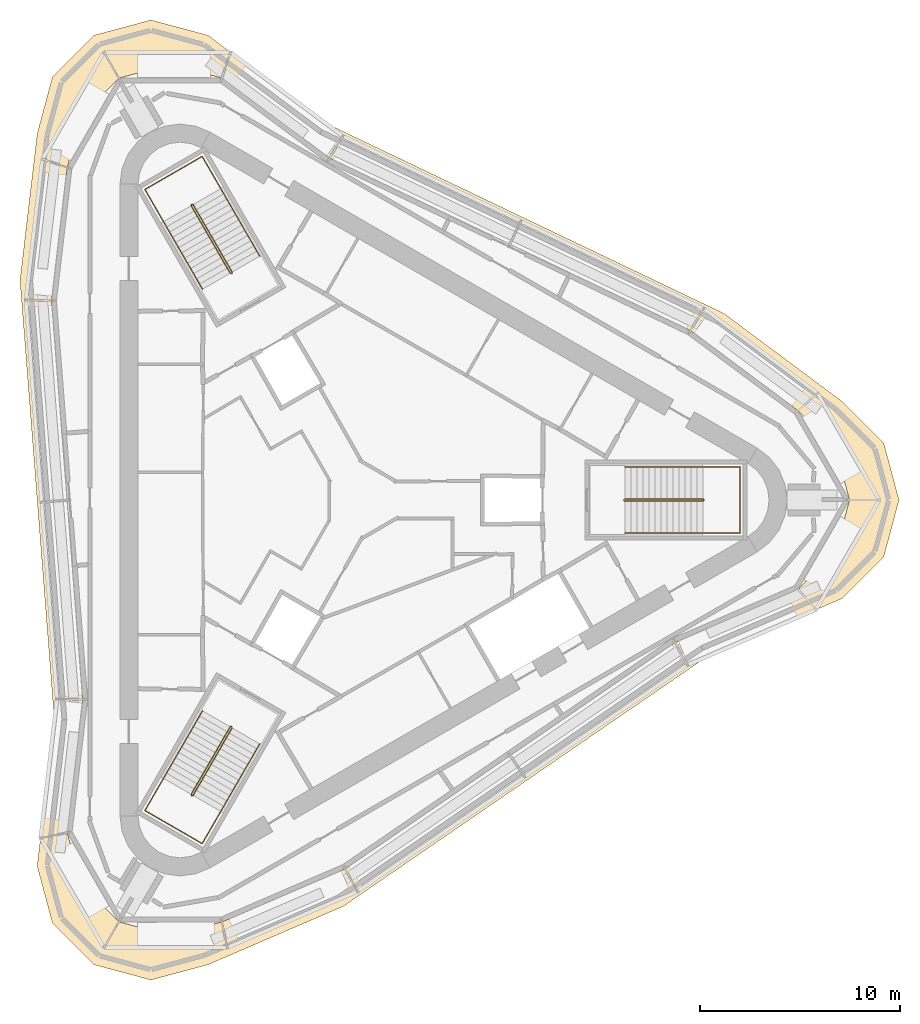
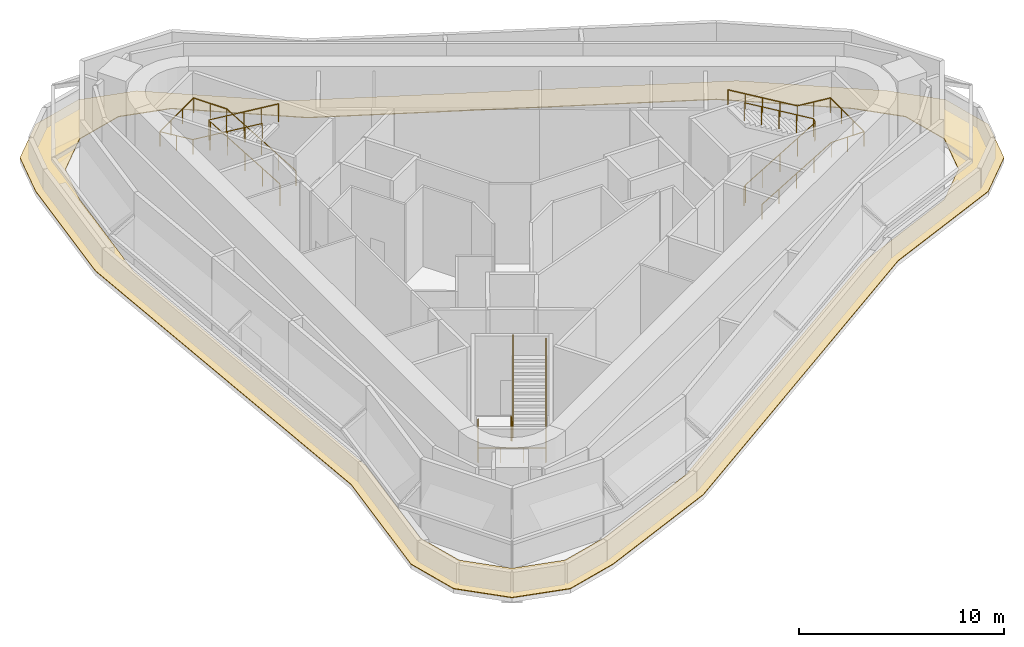
# One storey, part 7 of 7: 6 railings, 1 covering.
"""IFC4 building model written with IfcOpenShell, lengths in metres."""

from ifc_helpers import new_model, si_unit, direction, frame, origin, origin_2d, place, context, subcontext, project, spatial, polyline, circle, outline, extrude, material, layer, layer_set, type_object, element, save


model = new_model("IFC4")

# Units and contexts
model_context = context("Model", 3, precision=1e-05, world=origin(), true_north=direction((0.0, 1.0)))
body_context = subcontext(model_context, "Body", "Model", "MODEL_VIEW")
ifc_project = project(units=[si_unit("LENGTHUNIT", "METRE"), si_unit("AREAUNIT", "SQUARE_METRE"), si_unit("VOLUMEUNIT", "CUBIC_METRE"), si_unit("PLANEANGLEUNIT", "RADIAN"), si_unit("MASSUNIT", "GRAM", prefix="KILO")], contexts=[model_context])

# Site, building, storey
site_placement = place(None, origin())
site = spatial("IfcSite", under=ifc_project, at=site_placement, CompositionType="ELEMENT")
building_placement = place(site_placement, origin())
building = spatial("IfcBuilding", under=site, at=building_placement, Name="Tanit Gate Tower", CompositionType="ELEMENT")
storey_placement = place(building_placement, frame((0.0, 0.0, 425.300048828125)))
storey = spatial("IfcBuildingStorey", under=building, at=storey_placement, Name="L96", CompositionType="ELEMENT", Elevation=425.300048828125)

# Railings
ifc_material_1 = material(Name="Stainless steel balustrade", Category="steel")
railing_type_1 = type_object("IfcRailingType", Name="INT-STAIR-GUARD", PredefinedType="GUARDRAIL", material=ifc_material_1)
railing_1_placement = place(storey_placement, frame((13.044921875, 0.0048828125, 0.0)))
element("IfcRailing", 1, at=railing_1_placement, inside=storey, type_object=railing_type_1, Name="L96 S1 stair guard 1", PredefinedType="GUARDRAIL", context=body_context, shape_type="SweptSolid", body=[
    extrude(circle(Radius=0.02392578125, at=origin_2d()), frame((0.0, 0.0, 1.076171875), z_axis=(0.0, -1.0, 0.0), x_axis=(1.0, 0.0, 0.0)), (0.0, 0.0, 1.0), 0.009765625),
    extrude(circle(Radius=0.02392578125, at=origin_2d()), frame((0.0, -0.009765625, 1.076171875), z_axis=(0.260684529273, -0.260684529273, 0.929562882432), x_axis=(0.707106781187, 0.707106781187, 0.0)), (0.0, 0.0, 1.0), 0.19189453125),
    extrude(circle(Radius=0.02392578125, at=origin_2d()), frame((0.050048828125, -0.059814453125, 1.25439453125), z_axis=(0.859291195736, 0.0, 0.511486696729), x_axis=(0.0, 1.0, 0.0)), (0.0, 0.0, 1.0), 4.538818359375),
    extrude(circle(Radius=0.02392578125, at=origin_2d()), frame((3.9501953125, -0.059814453125, 3.576171875), z_axis=(0.705375805398, 0.708833529934, 0.0), x_axis=(-0.708833529934, 0.705375805398, 0.0)), (0.0, 0.0, 1.0), 0.070556640625),
    extrude(circle(Radius=0.02392578125, at=origin_2d()), frame((4.0, -0.009765625, 3.576171875), z_axis=(0.0, 1.0, 0.0), x_axis=(-1.0, 0.0, 0.0)), (0.0, 0.0, 1.0), 0.009765625),
    extrude(circle(Radius=0.02392578125, at=origin_2d()), frame((4.0, 0.0, 3.576171875), z_axis=(-0.25949872427, 0.26077077684, 0.929870428634), x_axis=(-0.708833529934, -0.705375805398, 0.0)), (0.0, 0.0, 1.0), 0.19189453125),
    extrude(circle(Radius=0.02392578125, at=origin_2d()), frame((3.9501953125, 0.050048828125, 3.75439453125), z_axis=(-0.859291195736, 0.0, 0.511486696729), x_axis=(0.0, -1.0, 0.0)), (0.0, 0.0, 1.0), 4.538818359375),
    extrude(circle(Radius=0.02099609375, at=origin_2d()), origin(), (0.0, 0.0, 1.0), 1.052001953125),
    extrude(circle(Radius=0.02099609375, at=origin_2d()), frame((0.0, -0.009765625, 0.0)), (0.0, 0.0, 1.0), 1.052001953125),
    extrude(circle(Radius=0.02099609375, at=origin_2d()), frame((0.050048828125, -0.059814453125, 0.178466796875)), (0.0, 0.0, 1.0), 1.052001953125),
    extrude(circle(Radius=0.02099609375, at=origin_2d()), frame((1.025146484375, -0.059814453125, 0.7587890625)), (0.0, 0.0, 1.0), 1.052001953125),
    extrude(circle(Radius=0.02099609375, at=origin_2d()), frame((2.0, -0.059814453125, 1.33935546875)), (0.0, 0.0, 1.0), 1.052001953125),
    extrude(circle(Radius=0.02099609375, at=origin_2d()), frame((2.97509765625, -0.059814453125, 1.919677734375)), (0.0, 0.0, 1.0), 1.052001953125),
    extrude(circle(Radius=0.02099609375, at=origin_2d()), frame((3.9501953125, -0.059814453125, 2.5)), (0.0, 0.0, 1.0), 1.052001953125),
    extrude(circle(Radius=0.02099609375, at=origin_2d()), frame((4.0, -0.009765625, 2.5)), (0.0, 0.0, 1.0), 1.052001953125),
    extrude(circle(Radius=0.02099609375, at=origin_2d()), frame((4.0, 0.0, 2.5)), (0.0, 0.0, 1.0), 1.052001953125),
    extrude(circle(Radius=0.02099609375, at=origin_2d()), frame((3.9501953125, 0.050048828125, 2.678466796875)), (0.0, 0.0, 1.0), 1.052001953125),
    extrude(circle(Radius=0.02099609375, at=origin_2d()), frame((2.97509765625, 0.050048828125, 3.2587890625)), (0.0, 0.0, 1.0), 1.052001953125),
    extrude(circle(Radius=0.02099609375, at=origin_2d()), frame((2.0, 0.050048828125, 3.83935546875)), (0.0, 0.0, 1.0), 1.052001953125),
    extrude(circle(Radius=0.02099609375, at=origin_2d()), frame((1.025146484375, 0.050048828125, 4.419677734375)), (0.0, 0.0, 1.0), 1.052001953125),
    extrude(circle(Radius=0.02099609375, at=origin_2d()), frame((0.050048828125, 0.050048828125, 5.0)), (0.0, 0.0, 1.0), 1.052001953125),
])
railing_2_placement = place(storey_placement, frame((-6.527099609375, 11.29345703125, 0.0)))
element("IfcRailing", 2, at=railing_2_placement, inside=storey, type_object=railing_type_1, Name="L96 S2 stair guard 1", PredefinedType="GUARDRAIL", context=body_context, shape_type="SweptSolid", body=[
    extrude(circle(Radius=0.02392578125, at=origin_2d()), frame((0.0, 0.0, 1.076171875), z_axis=(0.868243142124, 0.496138938357, 0.0), x_axis=(-0.496138938357, 0.868243142124, 0.0)), (0.0, 0.0, 1.0), 0.01171875),
    extrude(circle(Radius=0.02392578125, at=origin_2d()), frame((0.01025390625, 0.005859375, 1.076171875), z_axis=(0.095374316588, 0.356064115262, 0.929581672344), x_axis=(-0.965948051503, 0.258736085224, 0.0)), (0.0, 0.0, 1.0), 0.19189453125),
    extrude(circle(Radius=0.02392578125, at=origin_2d()), frame((0.028564453125, 0.07421875, 1.25439453125), z_axis=(-0.429636665928, 0.744158462057, 0.511508082673), x_axis=(-0.866027128446, -0.499997012787, 0.0)), (0.0, 0.0, 1.0), 4.53857421875),
    extrude(circle(Radius=0.02392578125, at=origin_2d()), frame((-1.92138671875, 3.45166015625, 3.576171875), z_axis=(-0.965948051503, 0.258736085224, 0.0), x_axis=(-0.258736085224, -0.965948051503, 0.0)), (0.0, 0.0, 1.0), 0.07080078125),
    extrude(circle(Radius=0.02392578125, at=origin_2d()), frame((-1.98974609375, 3.469970703125, 3.576171875), z_axis=(-0.868243142124, -0.496138938357, 0.0), x_axis=(0.496138938357, -0.868243142124, 0.0)), (0.0, 0.0, 1.0), 0.01171875),
    extrude(circle(Radius=0.02392578125, at=origin_2d()), frame((-2.0, 3.464111328125, 3.576171875), z_axis=(-0.095374316588, -0.356064115262, 0.929581672344), x_axis=(0.965948051503, -0.258736085224, 0.0)), (0.0, 0.0, 1.0), 0.19189453125),
    extrude(circle(Radius=0.02392578125, at=origin_2d()), frame((-2.018310546875, 3.395751953125, 3.75439453125), z_axis=(0.429636665928, -0.744158462057, 0.511508082673), x_axis=(0.866027128446, 0.499997012787, 0.0)), (0.0, 0.0, 1.0), 4.53857421875),
    extrude(circle(Radius=0.02099609375, at=origin_2d()), origin(), (0.0, 0.0, 1.0), 1.052001953125),
    extrude(circle(Radius=0.02099609375, at=origin_2d()), frame((0.01025390625, 0.005859375, 0.0)), (0.0, 0.0, 1.0), 1.052001953125),
    extrude(circle(Radius=0.02099609375, at=origin_2d()), frame((0.028564453125, 0.07421875, 0.178466796875)), (0.0, 0.0, 1.0), 1.052001953125),
    extrude(circle(Radius=0.02099609375, at=origin_2d()), frame((-0.458984375, 0.91845703125, 0.7587890625)), (0.0, 0.0, 1.0), 1.052001953125),
    extrude(circle(Radius=0.02099609375, at=origin_2d()), frame((-0.9462890625, 1.762939453125, 1.33935546875)), (0.0, 0.0, 1.0), 1.052001953125),
    extrude(circle(Radius=0.02099609375, at=origin_2d()), frame((-1.433837890625, 2.607421875, 1.919677734375)), (0.0, 0.0, 1.0), 1.052001953125),
    extrude(circle(Radius=0.02099609375, at=origin_2d()), frame((-1.92138671875, 3.45166015625, 2.5)), (0.0, 0.0, 1.0), 1.052001953125),
    extrude(circle(Radius=0.02099609375, at=origin_2d()), frame((-1.98974609375, 3.469970703125, 2.5)), (0.0, 0.0, 1.0), 1.052001953125),
    extrude(circle(Radius=0.02099609375, at=origin_2d()), frame((-2.0, 3.464111328125, 2.5)), (0.0, 0.0, 1.0), 1.052001953125),
    extrude(circle(Radius=0.02099609375, at=origin_2d()), frame((-2.018310546875, 3.395751953125, 2.678466796875)), (0.0, 0.0, 1.0), 1.052001953125),
    extrude(circle(Radius=0.02099609375, at=origin_2d()), frame((-1.53076171875, 2.55126953125, 3.2587890625)), (0.0, 0.0, 1.0), 1.052001953125),
    extrude(circle(Radius=0.02099609375, at=origin_2d()), frame((-1.04345703125, 1.70703125, 3.83935546875)), (0.0, 0.0, 1.0), 1.052001953125),
    extrude(circle(Radius=0.02099609375, at=origin_2d()), frame((-0.555908203125, 0.86279296875, 4.419677734375)), (0.0, 0.0, 1.0), 1.052001953125),
    extrude(circle(Radius=0.02099609375, at=origin_2d()), frame((-0.068359375, 0.018310546875, 5.0)), (0.0, 0.0, 1.0), 1.052001953125),
])
railing_3_placement = place(storey_placement, frame((-6.51806640625, -11.2998046875, 0.0)))
element("IfcRailing", 3, at=railing_3_placement, inside=storey, type_object=railing_type_1, Name="L96 S3 stair guard 1", PredefinedType="GUARDRAIL", context=body_context, shape_type="SweptSolid", body=[
    extrude(circle(Radius=0.02392578125, at=origin_2d()), frame((0.0, 0.0, 1.076171875), z_axis=(-0.874157276122, 0.485642931179, 0.0), x_axis=(-0.485642931179, -0.874157276122, 0.0)), (0.0, 0.0, 1.0), 0.010009765625),
    extrude(circle(Radius=0.02392578125, at=origin_2d()), frame((-0.0087890625, 0.0048828125, 1.076171875), z_axis=(-0.356107019809, -0.094113998092, 0.929693683858), x_axis=(0.255512919477, -0.966805641264, 0.0)), (0.0, 0.0, 1.0), 0.19189453125),
    extrude(circle(Radius=0.02392578125, at=origin_2d()), frame((-0.0771484375, -0.01318359375, 1.25439453125), z_axis=(-0.429619468083, -0.74418246412, 0.511487607612), x_axis=(0.866042777325, -0.499969906938, 0.0)), (0.0, 0.0, 1.0), 4.538818359375),
    extrude(circle(Radius=0.02392578125, at=origin_2d()), frame((-2.027099609375, -3.390869140625, 3.576171875), z_axis=(0.259601060869, -0.965715946433, 0.0), x_axis=(0.965715946433, 0.259601060869, 0.0)), (0.0, 0.0, 1.0), 0.070556640625),
    extrude(circle(Radius=0.02392578125, at=origin_2d()), frame((-2.0087890625, -3.458984375, 3.576171875), z_axis=(0.863778900898, -0.503871025524, 0.0), x_axis=(0.503871025524, 0.863778900898, 0.0)), (0.0, 0.0, 1.0), 0.01025390625),
    extrude(circle(Radius=0.02392578125, at=origin_2d()), frame((-2.0, -3.464111328125, 3.576171875), z_axis=(0.354952926692, 0.095417453412, 0.930002112587), x_axis=(-0.259601060869, 0.965715946433, 0.0)), (0.0, 0.0, 1.0), 0.19189453125),
    extrude(circle(Radius=0.02392578125, at=origin_2d()), frame((-1.931884765625, -3.44580078125, 3.75439453125), z_axis=(0.429680527064, 0.74414126332, 0.511496260873), x_axis=(-0.866000020948, 0.500043961785, 0.0)), (0.0, 0.0, 1.0), 4.538818359375),
    extrude(circle(Radius=0.02099609375, at=origin_2d()), origin(), (0.0, 0.0, 1.0), 1.052001953125),
    extrude(circle(Radius=0.02099609375, at=origin_2d()), frame((-0.0087890625, 0.0048828125, 0.0)), (0.0, 0.0, 1.0), 1.052001953125),
    extrude(circle(Radius=0.02099609375, at=origin_2d()), frame((-0.0771484375, -0.01318359375, 0.178466796875)), (0.0, 0.0, 1.0), 1.052001953125),
    extrude(circle(Radius=0.02099609375, at=origin_2d()), frame((-0.564697265625, -0.857666015625, 0.7587890625)), (0.0, 0.0, 1.0), 1.052001953125),
    extrude(circle(Radius=0.02099609375, at=origin_2d()), frame((-1.05224609375, -1.7021484375, 1.33935546875)), (0.0, 0.0, 1.0), 1.052001953125),
    extrude(circle(Radius=0.02099609375, at=origin_2d()), frame((-1.53955078125, -2.54638671875, 1.919677734375)), (0.0, 0.0, 1.0), 1.052001953125),
    extrude(circle(Radius=0.02099609375, at=origin_2d()), frame((-2.027099609375, -3.390869140625, 2.5)), (0.0, 0.0, 1.0), 1.052001953125),
    extrude(circle(Radius=0.02099609375, at=origin_2d()), frame((-2.0087890625, -3.458984375, 2.5)), (0.0, 0.0, 1.0), 1.052001953125),
    extrude(circle(Radius=0.02099609375, at=origin_2d()), frame((-2.0, -3.464111328125, 2.5)), (0.0, 0.0, 1.0), 1.052001953125),
    extrude(circle(Radius=0.02099609375, at=origin_2d()), frame((-1.931884765625, -3.44580078125, 2.678466796875)), (0.0, 0.0, 1.0), 1.052001953125),
    extrude(circle(Radius=0.02099609375, at=origin_2d()), frame((-1.4443359375, -2.6015625, 3.2587890625)), (0.0, 0.0, 1.0), 1.052001953125),
    extrude(circle(Radius=0.02099609375, at=origin_2d()), frame((-0.956787109375, -1.757080078125, 3.83935546875)), (0.0, 0.0, 1.0), 1.052001953125),
    extrude(circle(Radius=0.02099609375, at=origin_2d()), frame((-0.46923828125, -0.91259765625, 4.419677734375)), (0.0, 0.0, 1.0), 1.052001953125),
    extrude(circle(Radius=0.02099609375, at=origin_2d()), frame((0.018310546875, -0.068359375, 5.0)), (0.0, 0.0, 1.0), 1.052001953125),
])
ifc_material_2 = material(Name="Stainless steel handrail", Category="steel")
railing_type_2 = type_object("IfcRailingType", Name="INT-STAIR-HANDRAIL", PredefinedType="HANDRAIL", material=ifc_material_2)
railing_4_placement = place(storey_placement, frame((13.094970703125, -1.64990234375, 0.178466796875)))
element("IfcRailing", 4, at=railing_4_placement, inside=storey, type_object=railing_type_2, Name="L96 S1 stair handrail 1", PredefinedType="HANDRAIL", context=body_context, shape_type="SweptSolid", body=[
    extrude(circle(Radius=0.02392578125, at=origin_2d()), frame((0.0, 0.0, 0.8759765625), z_axis=(0.859291195736, 0.0, 0.511486696729), x_axis=(0.0, 1.0, 0.0)), (0.0, 0.0, 1.0), 4.538818359375),
    extrude(circle(Radius=0.02392578125, at=origin_2d()), frame((3.900146484375, 0.0, 3.197265625), z_axis=(1.0, 0.0, 0.0), x_axis=(0.0, 1.0, 0.0)), (0.0, 0.0, 1.0), 1.85498046875),
    extrude(circle(Radius=0.02392578125, at=origin_2d()), frame((5.755126953125, 0.0, 3.197265625), z_axis=(0.0, 1.0, 0.0), x_axis=(-1.0, 0.0, 0.0)), (0.0, 0.0, 1.0), 3.2998046875),
    extrude(circle(Radius=0.02392578125, at=origin_2d()), frame((5.755126953125, 3.2998046875, 3.197265625), z_axis=(-0.995403746914, 0.0, 0.09576732548), x_axis=(0.0, -1.0, 0.0)), (0.0, 0.0, 1.0), 1.863525390625),
    extrude(circle(Radius=0.02392578125, at=origin_2d()), frame((3.900146484375, 3.2998046875, 3.3759765625), z_axis=(-0.859291195736, 0.0, 0.511486696729), x_axis=(0.0, -1.0, 0.0)), (0.0, 0.0, 1.0), 4.538818359375),
    extrude(circle(Radius=0.02099609375, at=origin_2d()), origin(), (0.0, 0.0, 1.0), 0.851806640625),
    extrude(circle(Radius=0.02099609375, at=origin_2d()), frame((0.97509765625, 0.0, 0.580322265625)), (0.0, 0.0, 1.0), 0.851806640625),
    extrude(circle(Radius=0.02099609375, at=origin_2d()), frame((1.9501953125, 0.0, 1.16064453125)), (0.0, 0.0, 1.0), 0.851806640625),
    extrude(circle(Radius=0.02099609375, at=origin_2d()), frame((2.925048828125, 0.0, 1.7412109375)), (0.0, 0.0, 1.0), 0.851806640625),
    extrude(circle(Radius=0.02099609375, at=origin_2d()), frame((3.900146484375, 0.0, 2.321533203125)), (0.0, 0.0, 1.0), 0.851806640625),
    extrude(circle(Radius=0.02099609375, at=origin_2d()), frame((4.82763671875, 0.0, 2.321533203125)), (0.0, 0.0, 1.0), 0.851806640625),
    extrude(circle(Radius=0.02099609375, at=origin_2d()), frame((5.755126953125, 0.0, 2.321533203125)), (0.0, 0.0, 1.0), 0.851806640625),
    extrude(circle(Radius=0.02099609375, at=origin_2d()), frame((5.755126953125, 1.099853515625, 2.321533203125)), (0.0, 0.0, 1.0), 0.851806640625),
    extrude(circle(Radius=0.02099609375, at=origin_2d()), frame((5.755126953125, 2.199951171875, 2.321533203125)), (0.0, 0.0, 1.0), 0.851806640625),
    extrude(circle(Radius=0.02099609375, at=origin_2d()), frame((5.755126953125, 3.2998046875, 2.321533203125)), (0.0, 0.0, 1.0), 0.851806640625),
    extrude(circle(Radius=0.02099609375, at=origin_2d()), frame((4.82763671875, 3.2998046875, 2.41064453125)), (0.0, 0.0, 1.0), 0.851806640625),
    extrude(circle(Radius=0.02099609375, at=origin_2d()), frame((3.900146484375, 3.2998046875, 2.5)), (0.0, 0.0, 1.0), 0.851806640625),
    extrude(circle(Radius=0.02099609375, at=origin_2d()), frame((2.925048828125, 3.2998046875, 3.080322265625)), (0.0, 0.0, 1.0), 0.851806640625),
    extrude(circle(Radius=0.02099609375, at=origin_2d()), frame((1.9501953125, 3.2998046875, 3.66064453125)), (0.0, 0.0, 1.0), 0.851806640625),
    extrude(circle(Radius=0.02099609375, at=origin_2d()), frame((0.97509765625, 3.2998046875, 4.2412109375)), (0.0, 0.0, 1.0), 0.851806640625),
    extrude(circle(Radius=0.02099609375, at=origin_2d()), frame((0.0, 3.2998046875, 4.821533203125)), (0.0, 0.0, 1.0), 0.851806640625),
])
railing_5_placement = place(storey_placement, frame((-5.1181640625, 12.164794921875, 0.178466796875)))
element("IfcRailing", 5, at=railing_5_placement, inside=storey, type_object=railing_type_2, Name="L96 S2 stair handrail 1", PredefinedType="HANDRAIL", context=body_context, shape_type="SweptSolid", body=[
    extrude(circle(Radius=0.02392578125, at=origin_2d()), frame((0.0, 0.0, 0.8759765625), z_axis=(-0.429636665928, 0.744158462057, 0.511508082673), x_axis=(-0.866027128446, -0.499997012787, 0.0)), (0.0, 0.0, 1.0), 4.53857421875),
    extrude(circle(Radius=0.02392578125, at=origin_2d()), frame((-1.949951171875, 3.37744140625, 3.197265625), z_axis=(-0.499972951856, 0.866041019474, 0.0), x_axis=(-0.866041019474, -0.499972951856, 0.0)), (0.0, 0.0, 1.0), 1.85595703125),
    extrude(circle(Radius=0.02392578125, at=origin_2d()), frame((-2.8779296875, 4.98486328125, 3.197265625), z_axis=(-0.866008176907, -0.50002983664, 0.0), x_axis=(0.50002983664, -0.866008176907, 0.0)), (0.0, 0.0, 1.0), 3.300048828125),
    extrude(circle(Radius=0.02392578125, at=origin_2d()), frame((-5.73583984375, 3.334716796875, 3.197265625), z_axis=(0.497733776972, -0.862031426942, 0.095723070499), x_axis=(0.866008133109, 0.500029912494, 0.0)), (0.0, 0.0, 1.0), 1.864501953125),
    extrude(circle(Radius=0.02392578125, at=origin_2d()), frame((-4.807861328125, 1.7275390625, 3.3759765625), z_axis=(0.429663328258, -0.744165266205, 0.511475787231), x_axis=(0.866015672276, 0.500016855088, 0.0)), (0.0, 0.0, 1.0), 4.538818359375),
    extrude(circle(Radius=0.02099609375, at=origin_2d()), origin(), (0.0, 0.0, 1.0), 0.851806640625),
    extrude(circle(Radius=0.02099609375, at=origin_2d()), frame((-0.487548828125, 0.84423828125, 0.580322265625)), (0.0, 0.0, 1.0), 0.851806640625),
    extrude(circle(Radius=0.02099609375, at=origin_2d()), frame((-0.97509765625, 1.688720703125, 1.16064453125)), (0.0, 0.0, 1.0), 0.851806640625),
    extrude(circle(Radius=0.02099609375, at=origin_2d()), frame((-1.46240234375, 2.533203125, 1.7412109375)), (0.0, 0.0, 1.0), 0.851806640625),
    extrude(circle(Radius=0.02099609375, at=origin_2d()), frame((-1.949951171875, 3.37744140625, 2.321533203125)), (0.0, 0.0, 1.0), 0.851806640625),
    extrude(circle(Radius=0.02099609375, at=origin_2d()), frame((-2.4140625, 4.18115234375, 2.321533203125)), (0.0, 0.0, 1.0), 0.851806640625),
    extrude(circle(Radius=0.02099609375, at=origin_2d()), frame((-2.8779296875, 4.98486328125, 2.321533203125)), (0.0, 0.0, 1.0), 0.851806640625),
    extrude(circle(Radius=0.02099609375, at=origin_2d()), frame((-3.83056640625, 4.434814453125, 2.321533203125)), (0.0, 0.0, 1.0), 0.851806640625),
    extrude(circle(Radius=0.02099609375, at=origin_2d()), frame((-4.783203125, 3.884765625, 2.321533203125)), (0.0, 0.0, 1.0), 0.851806640625),
    extrude(circle(Radius=0.02099609375, at=origin_2d()), frame((-5.73583984375, 3.334716796875, 2.321533203125)), (0.0, 0.0, 1.0), 0.851806640625),
    extrude(circle(Radius=0.02099609375, at=origin_2d()), frame((-5.27197265625, 2.53125, 2.41064453125)), (0.0, 0.0, 1.0), 0.851806640625),
    extrude(circle(Radius=0.02099609375, at=origin_2d()), frame((-4.807861328125, 1.7275390625, 2.5)), (0.0, 0.0, 1.0), 0.851806640625),
    extrude(circle(Radius=0.02099609375, at=origin_2d()), frame((-4.3203125, 0.883056640625, 3.080322265625)), (0.0, 0.0, 1.0), 0.851806640625),
    extrude(circle(Radius=0.02099609375, at=origin_2d()), frame((-3.832763671875, 0.03857421875, 3.66064453125)), (0.0, 0.0, 1.0), 0.851806640625),
    extrude(circle(Radius=0.02099609375, at=origin_2d()), frame((-3.34521484375, -0.8056640625, 4.2412109375)), (0.0, 0.0, 1.0), 0.851806640625),
    extrude(circle(Radius=0.02099609375, at=origin_2d()), frame((-2.857666015625, -1.650146484375, 4.821533203125)), (0.0, 0.0, 1.0), 0.851806640625),
])
railing_6_placement = place(storey_placement, frame((-7.9765625, -10.515625, 0.178466796875)))
element("IfcRailing", 6, at=railing_6_placement, inside=storey, type_object=railing_type_2, Name="L96 S3 stair handrail 1", PredefinedType="HANDRAIL", context=body_context, shape_type="SweptSolid", body=[
    extrude(circle(Radius=0.02392578125, at=origin_2d()), frame((0.0, 0.0, 0.8759765625), z_axis=(-0.429636665928, -0.744158462057, 0.511508082673), x_axis=(0.866027128446, -0.499997012787, 0.0)), (0.0, 0.0, 1.0), 4.53857421875),
    extrude(circle(Radius=0.02392578125, at=origin_2d()), frame((-1.949951171875, -3.37744140625, 3.197265625), z_axis=(-0.500003477455, -0.866023396066, 0.0), x_axis=(0.866023396066, -0.500003477455, 0.0)), (0.0, 0.0, 1.0), 1.85498046875),
    extrude(circle(Radius=0.02392578125, at=origin_2d()), frame((-2.87744140625, -4.98388671875, 3.197265625), z_axis=(0.866008176907, -0.50002983664, 0.0), x_axis=(0.50002983664, 0.866008176907, 0.0)), (0.0, 0.0, 1.0), 3.300048828125),
    extrude(circle(Radius=0.02392578125, at=origin_2d()), frame((-0.01953125, -6.634033203125, 3.197265625), z_axis=(0.497705303182, 0.862042878372, 0.095767985424), x_axis=(-0.866023396066, 0.500003477455, 0.0)), (0.0, 0.0, 1.0), 1.863525390625),
    extrude(circle(Radius=0.02392578125, at=origin_2d()), frame((0.907958984375, -5.027587890625, 3.3759765625), z_axis=(0.429619468083, 0.74418246412, 0.511487607612), x_axis=(-0.866042777325, 0.499969906938, 0.0)), (0.0, 0.0, 1.0), 4.538818359375),
    extrude(circle(Radius=0.02099609375, at=origin_2d()), origin(), (0.0, 0.0, 1.0), 0.851806640625),
    extrude(circle(Radius=0.02099609375, at=origin_2d()), frame((-0.487548828125, -0.84423828125, 0.580322265625)), (0.0, 0.0, 1.0), 0.851806640625),
    extrude(circle(Radius=0.02099609375, at=origin_2d()), frame((-0.97509765625, -1.688720703125, 1.16064453125)), (0.0, 0.0, 1.0), 0.851806640625),
    extrude(circle(Radius=0.02099609375, at=origin_2d()), frame((-1.46240234375, -2.533203125, 1.7412109375)), (0.0, 0.0, 1.0), 0.851806640625),
    extrude(circle(Radius=0.02099609375, at=origin_2d()), frame((-1.949951171875, -3.37744140625, 2.321533203125)), (0.0, 0.0, 1.0), 0.851806640625),
    extrude(circle(Radius=0.02099609375, at=origin_2d()), frame((-2.41357421875, -4.1806640625, 2.321533203125)), (0.0, 0.0, 1.0), 0.851806640625),
    extrude(circle(Radius=0.02099609375, at=origin_2d()), frame((-2.87744140625, -4.98388671875, 2.321533203125)), (0.0, 0.0, 1.0), 0.851806640625),
    extrude(circle(Radius=0.02099609375, at=origin_2d()), frame((-1.9248046875, -5.533935546875, 2.321533203125)), (0.0, 0.0, 1.0), 0.851806640625),
    extrude(circle(Radius=0.02099609375, at=origin_2d()), frame((-0.97216796875, -6.083984375, 2.321533203125)), (0.0, 0.0, 1.0), 0.851806640625),
    extrude(circle(Radius=0.02099609375, at=origin_2d()), frame((-0.01953125, -6.634033203125, 2.321533203125)), (0.0, 0.0, 1.0), 0.851806640625),
    extrude(circle(Radius=0.02099609375, at=origin_2d()), frame((0.4443359375, -5.830810546875, 2.41064453125)), (0.0, 0.0, 1.0), 0.851806640625),
    extrude(circle(Radius=0.02099609375, at=origin_2d()), frame((0.907958984375, -5.027587890625, 2.5)), (0.0, 0.0, 1.0), 0.851806640625),
    extrude(circle(Radius=0.02099609375, at=origin_2d()), frame((1.3955078125, -4.18310546875, 3.080322265625)), (0.0, 0.0, 1.0), 0.851806640625),
    extrude(circle(Radius=0.02099609375, at=origin_2d()), frame((1.8828125, -3.3388671875, 3.66064453125)), (0.0, 0.0, 1.0), 0.851806640625),
    extrude(circle(Radius=0.02099609375, at=origin_2d()), frame((2.370361328125, -2.494384765625, 4.2412109375)), (0.0, 0.0, 1.0), 0.851806640625),
    extrude(circle(Radius=0.02099609375, at=origin_2d()), frame((2.85791015625, -1.64990234375, 4.821533203125)), (0.0, 0.0, 1.0), 0.851806640625),
])

# Covering
ifc_material_3 = material(Name="Stone paving", Category="masonry")
ifc_layer = layer(ifc_material_3, 0.0400390625)
ifc_layer_set = layer_set([ifc_layer], Name="Terrace deck paving 40")
covering_type = type_object("IfcCoveringType", Name="Terrace deck paving 40", PredefinedType="FLOORING", material=ifc_layer_set)
covering_placement = place(storey_placement, origin())
element("IfcCovering", 7, at=covering_placement, inside=storey, type_object=covering_type, Name="Terrace deck paving L96", PredefinedType="FLOORING", context=body_context, shape_type="SweptSolid", body=[
    extrude(outline(polyline([(26.02490234375, 2.841064453125), (26.7861328125, 0.0), (26.02490234375, -2.841064453125), (23.945068359375, -4.920654296875), (17.185791015625, -7.83447265625), (-0.951904296875, -20.283447265625), (-7.711181640625, -23.197509765625), (-10.552001953125, -23.958740234375), (-13.39306640625, -23.197509765625), (-15.47265625, -21.11767578125), (-16.23388671875, -18.27685546875), (-15.377685546875, -10.966064453125), (-17.090087890625, 10.966064453125), (-16.23388671875, 18.27685546875), (-15.47265625, 21.11767578125), (-13.39306640625, 23.197509765625), (-10.552001953125, 23.958740234375), (-7.711181640625, 23.197509765625), (-1.807861328125, 18.800537109375), (18.0419921875, 9.3173828125), (23.945068359375, 4.920654296875), (26.02490234375, 2.841064453125)]), holes=[polyline([(16.375, 8.45654296875), (-1.640869140625, 17.0634765625), (-6.99853515625, 21.053955078125), (-9.5771484375, 21.744873046875), (-12.155517578125, 21.053955078125), (-14.04296875, 19.16650390625), (-14.73388671875, 16.587890625), (-15.510986328125, 9.952880859375), (-13.95703125, -9.952880859375), (-14.73388671875, -16.587890625), (-14.04296875, -19.16650390625), (-12.155517578125, -21.053955078125), (-9.5771484375, -21.744873046875), (-6.99853515625, -21.053955078125), (-0.86376953125, -18.409423828125), (15.597900390625, -7.110595703125), (21.732666015625, -4.466064453125), (23.6201171875, -2.578369140625), (24.31103515625, 0.0), (23.6201171875, 2.578369140625), (21.732666015625, 4.466064453125), (16.375, 8.45654296875)])]), origin(), (0.0, 0.0, 1.0), 0.0400390625),
])

save(model, "model.ifc")
